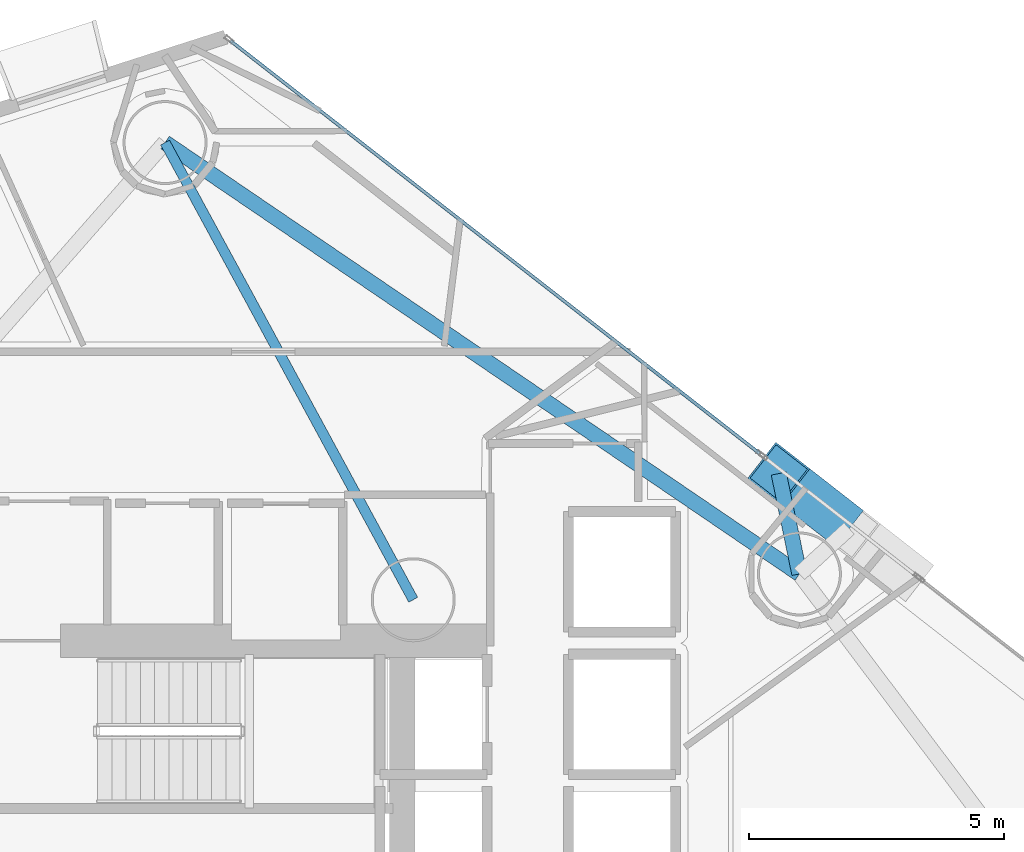
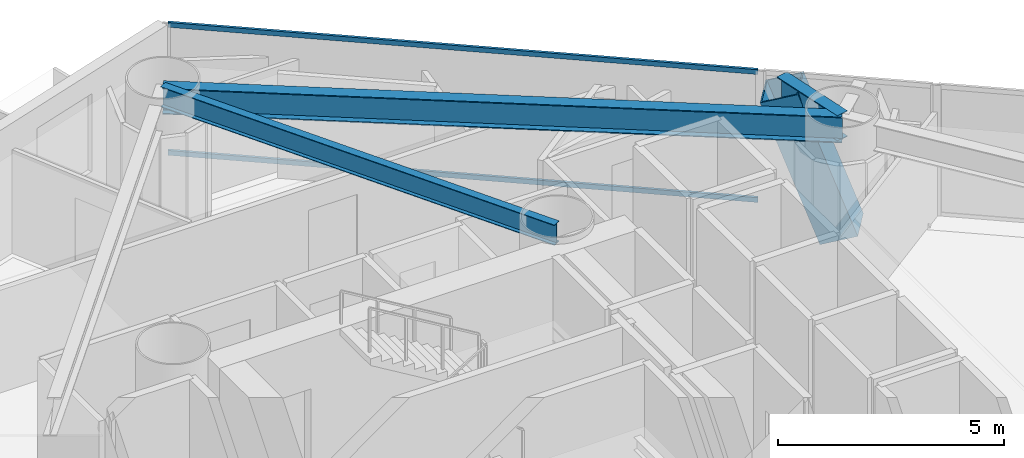
# One storey, part 10 of 23: 3 beams, 3 members, 1 element without a shape of its own.
"""IFC4 building model written with IfcOpenShell, lengths in metres."""

from ifc_helpers import new_model, si_unit, direction, frame, origin, origin_2d, place, context, subcontext, project, spatial, hollow_rectangle, i_section, extrude, material, layer, layer_set, material_profile, profile_set, type_object, element, aggregate, save


model = new_model("IFC4")

# Units and contexts
model_context = context("Model", 3, precision=1e-05, world=origin(), true_north=direction((0.0, 1.0)))
body_context = subcontext(model_context, "Body", "Model", "MODEL_VIEW")
ifc_project = project(units=[si_unit("LENGTHUNIT", "METRE"), si_unit("AREAUNIT", "SQUARE_METRE"), si_unit("VOLUMEUNIT", "CUBIC_METRE"), si_unit("PLANEANGLEUNIT", "RADIAN"), si_unit("MASSUNIT", "GRAM", prefix="KILO")], contexts=[model_context])

# Site, building, storey
site_placement = place(None, origin())
site = spatial("IfcSite", under=ifc_project, at=site_placement, CompositionType="ELEMENT")
building_placement = place(site_placement, origin())
building = spatial("IfcBuilding", under=site, at=building_placement, Name="Qianvela Tower", CompositionType="ELEMENT")
storey_placement = place(building_placement, frame((0.0, 0.0, 85.800048828125)))
storey = spatial("IfcBuildingStorey", under=building, at=storey_placement, Name="L21", CompositionType="ELEMENT", Elevation=85.800048828125)

# Beams
ifc_material_1 = material(Name="Steel Q355B", Category="steel")
ifc_material_profile_1 = material_profile(ifc_material_1, i_section(OverallWidth=0.199951171875, OverallDepth=0.550048828125, WebThickness=0.010009765625, FlangeThickness=0.01611328125, at=origin_2d()), Name="HN550x200x10x16")
ifc_profile_set_1 = profile_set([ifc_material_profile_1], Name="Steel Q355B")
beam_type_1 = type_object("IfcBeamType", Name="BM-HN550-GIRD", PredefinedType="BEAM", material=ifc_profile_set_1)
beam_1_placement = place(storey_placement, frame((38.39990234375, 33.550048828125, 3.242919921875), z_axis=(-0.477069714043, 0.878865454972, 0.0), x_axis=(-0.878865454972, -0.477069714043, 0.0)))
element("IfcBeam", 1, at=beam_1_placement, inside=storey, type_object=beam_type_1, Name="L21 Radial Primary Floor Girder 3", PredefinedType="BEAM", context=body_context, shape_type="SweptSolid", body=[
    extrude(i_section(OverallWidth=0.199951171875, OverallDepth=0.550048828125, WebThickness=0.010009765625, FlangeThickness=0.01611328125, at=origin_2d()), origin(), (0.0, 0.0, 1.0), 10.216552734375),
])
ifc_material_2 = material(Name="Steel Q355B", Category="steel")
ifc_material_profile_2 = material_profile(ifc_material_2, i_section(OverallWidth=0.300048828125, OverallDepth=0.699951171875, WebThickness=0.012939453125, FlangeThickness=0.02392578125, at=origin_2d()), Name="HN700x300x13x24")
ifc_profile_set_2 = profile_set([ifc_material_profile_2], Name="Steel Q355B")
beam_type_2 = type_object("IfcBeamType", Name="BM-HN700-SPAND", PredefinedType="SPANDREL", material=ifc_profile_set_2)
beam_2_placement = place(storey_placement, frame((45.98388671875, 34.056884765625, 3.16796875), z_axis=(-0.201711100934, 0.979445063166, 0.0), x_axis=(-0.979445063166, -0.201711100934, 0.0)))
element("IfcBeam", 2, at=beam_2_placement, inside=storey, type_object=beam_type_2, Name="L21 Mega-Brace Column Tie Bracket F1-2", PredefinedType="SPANDREL", context=body_context, shape_type="SweptSolid", body=[
    extrude(i_section(OverallWidth=0.300048828125, OverallDepth=0.699951171875, WebThickness=0.012939453125, FlangeThickness=0.02392578125, at=origin_2d()), origin(), (0.0, 0.0, 1.0), 2.0126953125),
])
beam_3_placement = place(storey_placement, frame((45.98388671875, 34.056884765625, 3.16796875), z_axis=(-0.826904197504, 0.562342820839, 0.0), x_axis=(-0.562342820839, -0.826904197504, 0.0)))
element("IfcBeam", 3, at=beam_3_placement, inside=storey, type_object=beam_type_2, Name="L21 Perimeter Ring Spandrel Girder 2", PredefinedType="SPANDREL", context=body_context, shape_type="SweptSolid", body=[
    extrude(i_section(OverallWidth=0.300048828125, OverallDepth=0.699951171875, WebThickness=0.012939453125, FlangeThickness=0.02392578125, at=origin_2d()), origin(), (0.0, 0.0, 1.0), 15.06591796875),
])

# Curtain wall, members
ifc_material_3 = material(Name="Anodised Architectural Aluminium and Low-E Glass", Category="aluminium")
ifc_layer = layer(ifc_material_3, 0.179931640625)
ifc_layer_set = layer_set([ifc_layer], Name="Anodised Architectural Aluminium and Low-E Glass")
curtain_wall_type = type_object("IfcCurtainWallType", Name="CW-COLIV-Z12", PredefinedType="USERDEFINED", material=ifc_layer_set)
curtain_wall_placement = place(storey_placement, origin())
curtain_wall = element("IfcCurtainWall", 4, at=curtain_wall_placement, inside=storey, type_object=curtain_wall_type, Name="L21 CW-COLIV-Z12 Curtain Wall 02C", ObjectType="CURTAIN_WALL_SYSTEM", PredefinedType="USERDEFINED")
ifc_material_4 = material(Name="Anodised Architectural Aluminium 6063-T6", Category="aluminium")
ifc_material_profile_3 = material_profile(ifc_material_4, hollow_rectangle(XDim=0.06494140625, YDim=0.1298828125, WallThickness=0.00439453125, at=origin_2d()), Name="ALU-TRAN-65x130")
ifc_profile_set_3 = profile_set([ifc_material_profile_3], Name="Anodised Architectural Aluminium 6063-T6")
member_type_1 = type_object("IfcMemberType", Name="CW-COLIV-Z12-TRAN", PredefinedType="USERDEFINED", material=ifc_profile_set_3)
member_1_placement = place(storey_placement, frame((45.1982421875, 36.42578125, 0.032470703125), z_axis=(-0.788508237716, 0.615024193876, 0.0), x_axis=(-0.615024193876, -0.788508237716, 0.0)))
member_1 = element("IfcMember", 5, at=member_1_placement, type_object=member_type_1, Name="CW-3 transom 1.1", ObjectType="TRANSOM", PredefinedType="USERDEFINED", context=body_context, shape_type="SweptSolid", body=[
    extrude(hollow_rectangle(XDim=0.06494140625, YDim=0.1298828125, WallThickness=0.00439453125, at=origin_2d()), origin(), (0.0, 0.0, 1.0), 13.173583984375),
])
member_2_placement = place(storey_placement, frame((45.1982421875, 36.42578125, 3.487548828125), z_axis=(-0.788508237716, 0.615024193876, 0.0), x_axis=(-0.615024193876, -0.788508237716, 0.0)))
member_2 = element("IfcMember", 6, at=member_2_placement, type_object=member_type_1, Name="CW-3 transom 1.2", ObjectType="TRANSOM", PredefinedType="USERDEFINED", context=body_context, shape_type="SweptSolid", body=[
    extrude(hollow_rectangle(XDim=0.06494140625, YDim=0.1298828125, WallThickness=0.00439453125, at=origin_2d()), origin(), (0.0, 0.0, 1.0), 13.173583984375),
])
aggregate(curtain_wall, [member_1, member_2])

# Member
ifc_material_5 = material(Name="Steel Q420GJC", Category="steel")
ifc_material_profile_4 = material_profile(ifc_material_5, hollow_rectangle(XDim=0.89990234375, YDim=0.89990234375, WallThickness=0.035888671875, at=origin_2d()), Name="MBOX-900x900x36")
ifc_profile_set_4 = profile_set([ifc_material_profile_4], Name="Steel Q420GJC")
member_type_2 = type_object("IfcMemberType", Name="MBR-MBRACE-900", PredefinedType="BRACE", material=ifc_profile_set_4)
member_3_placement = place(storey_placement, frame((46.63037109375, 35.20751953125, -0.531982421875), z_axis=(-0.267582460328, 0.208678318632, 0.940666245944), x_axis=(-0.614965835545, -0.788553752836, 0.0)))
element("IfcMember", 7, at=member_3_placement, inside=storey, type_object=member_type_2, Name="L21 Tier 3 Exterior Mega-Brace F1B", PredefinedType="BRACE", context=body_context, shape_type="SweptSolid", body=[
    extrude(hollow_rectangle(XDim=0.89990234375, YDim=0.89990234375, WallThickness=0.035888671875, at=origin_2d()), origin(), (0.0, 0.0, 1.0), 3.933349609375),
])

save(model, "model.ifc")
